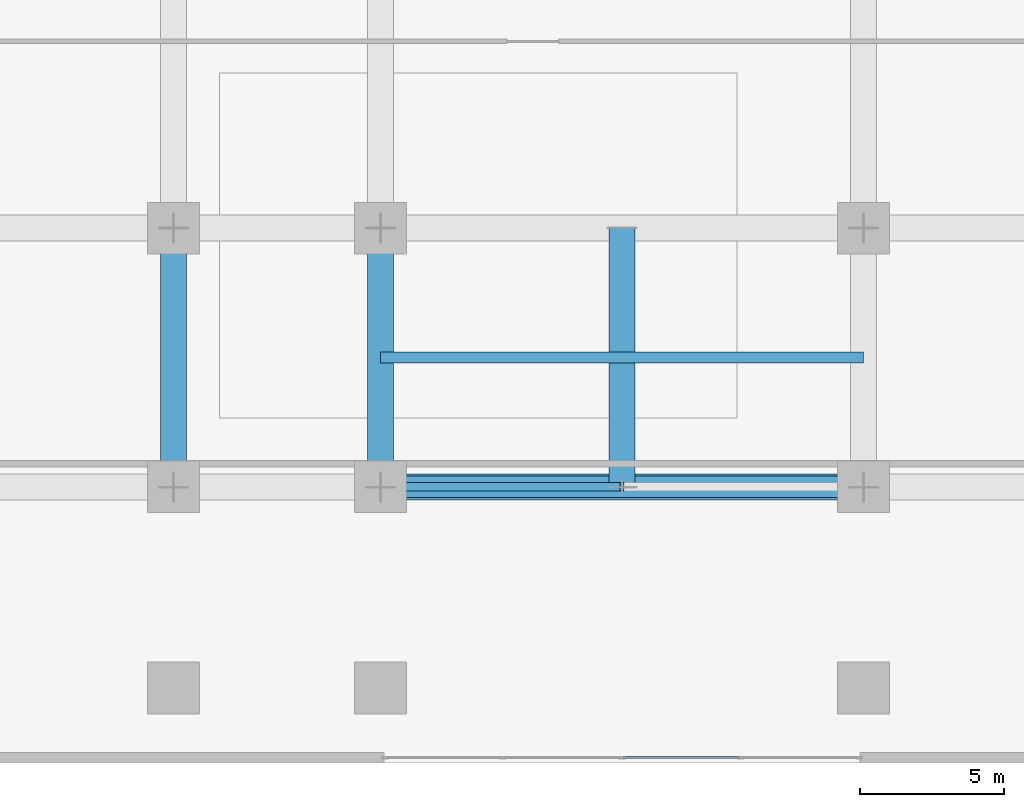
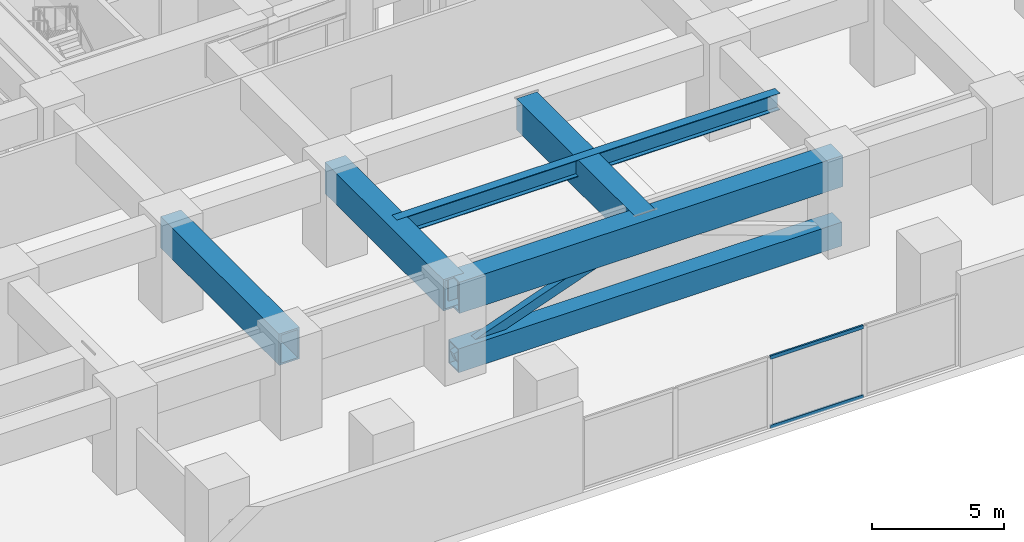
# One storey, part 3 of 25: 5 beams, 4 members, 1 element without a shape of its own.
"""IFC4 building model written with IfcOpenShell, lengths in metres."""

from ifc_helpers import new_model, si_unit, direction, frame, origin, origin_2d, place, context, subcontext, project, spatial, hollow_rectangle, i_section, extrude, material, layer, layer_set, material_profile, profile_set, type_object, element, aggregate, save


model = new_model("IFC4")

# Units and contexts
model_context = context("Model", 3, precision=1e-05, world=origin(), true_north=direction((0.0, 1.0)))
body_context = subcontext(model_context, "Body", "Model", "MODEL_VIEW")
ifc_project = project(units=[si_unit("LENGTHUNIT", "METRE"), si_unit("AREAUNIT", "SQUARE_METRE"), si_unit("VOLUMEUNIT", "CUBIC_METRE"), si_unit("PLANEANGLEUNIT", "RADIAN"), si_unit("MASSUNIT", "GRAM", prefix="KILO")], contexts=[model_context])

# Site, building, storey
site_placement = place(None, origin())
site = spatial("IfcSite", under=ifc_project, at=site_placement, CompositionType="ELEMENT")
building_placement = place(site_placement, origin())
building = spatial("IfcBuilding", under=site, at=building_placement, Name="Kiyonajd Concourse Tower", CompositionType="ELEMENT")
storey_placement = place(building_placement, frame((0.0, 0.0, 17.10009765625)))
storey = spatial("IfcBuildingStorey", under=building, at=storey_placement, Name="L05", CompositionType="ELEMENT", Elevation=17.10009765625)

# Beams
ifc_material_1 = material(Name="Steel ASTM A992 Grade 50", Category="steel")
ifc_material_profile_1 = material_profile(ifc_material_1, i_section(OverallWidth=0.381103515625, OverallDepth=0.77294921875, WebThickness=0.0166015625, FlangeThickness=0.027099609375, at=origin_2d()), Name="W760X257")
ifc_profile_set_1 = profile_set([ifc_material_profile_1], Name="Steel ASTM A992 Grade 50")
beam_type_1 = type_object("IfcBeamType", Name="BM-POD-760", PredefinedType="BEAM", material=ifc_profile_set_1)
beam_1_placement = place(storey_placement, frame((39.60009765625, 14.10009765625, 3.853515625), z_axis=(1.0, 0.0, 0.0), x_axis=(0.0, 1.0, 0.0)))
element("IfcBeam", 1, at=beam_1_placement, inside=storey, type_object=beam_type_1, Name="L05 South Loggia Bay Secondary Beam", PredefinedType="BEAM", context=body_context, shape_type="SweptSolid", body=[
    extrude(i_section(OverallWidth=0.381103515625, OverallDepth=0.77294921875, WebThickness=0.0166015625, FlangeThickness=0.027099609375, at=origin_2d()), origin(), (0.0, 0.0, 1.0), 16.7998046875),
])
ifc_material_2 = material(Name="Steel ASTM A572 Grade 50", Category="steel")
ifc_material_profile_2 = material_profile(ifc_material_2, hollow_rectangle(XDim=0.89990234375, YDim=1.449951171875, WallThickness=0.074951171875, at=origin_2d()), Name="BOX-1450x900x75")
ifc_profile_set_2 = profile_set([ifc_material_profile_2], Name="Steel ASTM A572 Grade 50")
beam_type_2 = type_object("IfcBeamType", Name="BM-XFER-1800", PredefinedType="BEAM", material=ifc_profile_set_2)
beam_2_placement = place(storey_placement, frame((39.60009765625, 9.60009765625, 3.514892578125), z_axis=(1.0, 0.0, 0.0), x_axis=(0.0, 1.0, 0.0)))
element("IfcBeam", 2, at=beam_2_placement, inside=storey, type_object=beam_type_2, Name="L05 Primary Transfer Girder", PredefinedType="BEAM", context=body_context, shape_type="SweptSolid", body=[
    extrude(hollow_rectangle(XDim=0.89990234375, YDim=1.449951171875, WallThickness=0.074951171875, at=origin_2d()), origin(), (0.0, 0.0, 1.0), 16.7998046875),
])
for number, where, z_axis, x_axis, name in (
    (3, (32.39990234375, 9.60009765625, 3.514892578125), (0.0, 1.0, 0.0), (-1.0, 0.0, 0.0), "L05 Primary Transfer Girder"),
    (4, (39.60009765625, 9.60009765625, 3.514892578125), (0.0, 1.0, 0.0), (-1.0, 0.0, 0.0), "L05 Primary Transfer Girder"),
    (5, (48.0, 9.60009765625, 3.514892578125), (0.0, 1.0, 0.0), (-1.0, 0.0, 0.0), "L05 Column Transfer Girder"),
):
    element("IfcBeam", number, at=place(storey_placement, frame(where, z_axis=z_axis, x_axis=x_axis)), inside=storey, type_object=beam_type_2, Name=name, PredefinedType="BEAM", context=body_context, shape_type="SweptSolid", body=[
        extrude(hollow_rectangle(XDim=0.89990234375, YDim=1.449951171875, WallThickness=0.074951171875, at=origin_2d()), origin(), (0.0, 0.0, 1.0), 9.0),
    ])

# Curtain wall, members
ifc_material_3 = material(Name="Thermally Broken Anodised Aluminium", Category="aluminium")
ifc_layer = layer(ifc_material_3, 0.179931640625)
ifc_layer_set = layer_set([ifc_layer], Name="Thermally Broken Anodised Aluminium")
curtain_wall_type = type_object("IfcCurtainWallType", Name="CW-SYS-01", PredefinedType="NOTDEFINED", material=ifc_layer_set)
curtain_wall_placement = place(storey_placement, origin())
curtain_wall = element("IfcCurtainWall", 6, at=curtain_wall_placement, inside=storey, type_object=curtain_wall_type, Name="L05 Unitised Curtain Wall CW1", PredefinedType="NOTDEFINED")
ifc_material_profile_3 = material_profile(ifc_material_3, hollow_rectangle(XDim=0.074951171875, YDim=0.159912109375, WallThickness=0.0048828125, at=origin_2d()), Name="TRAN-75x160")
ifc_profile_set_3 = profile_set([ifc_material_profile_3], Name="Thermally Broken Anodised Aluminium")
member_type_1 = type_object("IfcMemberType", Name="MB-CW-TRAN2", PredefinedType="USERDEFINED", material=ifc_profile_set_3)
member_1_placement = place(storey_placement, frame((52.1025390625, 0.179931640625, 0.037353515625), z_axis=(-1.0, 0.0, 0.0), x_axis=(0.0, -1.0, 0.0)))
member_1 = element("IfcMember", 7, at=member_1_placement, type_object=member_type_1, Name="CW1 transom 2.1", ObjectType="TRANSOM", PredefinedType="USERDEFINED", context=body_context, shape_type="SweptSolid", body=[
    extrude(hollow_rectangle(XDim=0.074951171875, YDim=0.159912109375, WallThickness=0.0048828125, at=origin_2d()), origin(), (0.0, 0.0, 1.0), 4.06494140625),
])
member_2_placement = place(storey_placement, frame((52.1025390625, 0.179931640625, 3.25244140625), z_axis=(-1.0, 0.0, 0.0), x_axis=(0.0, -1.0, 0.0)))
member_2 = element("IfcMember", 8, at=member_2_placement, type_object=member_type_1, Name="CW1 transom 2.2", ObjectType="TRANSOM", PredefinedType="USERDEFINED", context=body_context, shape_type="SweptSolid", body=[
    extrude(hollow_rectangle(XDim=0.074951171875, YDim=0.159912109375, WallThickness=0.0048828125, at=origin_2d()), origin(), (0.0, 0.0, 1.0), 4.06494140625),
])
aggregate(curtain_wall, [member_1, member_2])

# Members
ifc_material_4 = material(Name="Steel ASTM A500 Grade C", Category="steel")
ifc_material_profile_4 = material_profile(ifc_material_4, hollow_rectangle(XDim=0.300048828125, YDim=0.449951171875, WallThickness=0.02197265625, at=origin_2d()), Name="HSS-450x300x22")
ifc_profile_set_4 = profile_set([ifc_material_profile_4], Name="Steel ASTM A500 Grade C")
member_type_2 = type_object("IfcMemberType", Name="MB-OT-DIAG", PredefinedType="BRACE", material=ifc_profile_set_4)
member_3_placement = place(storey_placement, frame((39.60009765625, 9.60009765625, 0.5498046875), z_axis=(0.9403126, 0.0, 0.340311936732), x_axis=(0.0, 1.0, 0.0)))
element("IfcMember", 9, at=member_3_placement, inside=storey, type_object=member_type_2, Name="L05 Transfer Truss Diagonal 13", PredefinedType="BRACE", context=body_context, shape_type="SweptSolid", body=[
    extrude(hollow_rectangle(XDim=0.300048828125, YDim=0.449951171875, WallThickness=0.02197265625, at=origin_2d()), origin(), (0.0, 0.0, 1.0), 8.93310546875),
])
ifc_material_profile_5 = material_profile(ifc_material_2, hollow_rectangle(XDim=0.75, YDim=1.10009765625, WallThickness=0.06005859375, at=origin_2d()), Name="BOX-1100x750x60")
ifc_profile_set_5 = profile_set([ifc_material_profile_5], Name="Steel ASTM A572 Grade 50")
member_type_3 = type_object("IfcMemberType", Name="MB-TR-CHORD", PredefinedType="CHORD", material=ifc_profile_set_5)
member_4_placement = place(storey_placement, frame((39.60009765625, 9.60009765625, 0.5498046875), z_axis=(1.0, 0.0, 0.0), x_axis=(0.0, 1.0, 0.0)))
element("IfcMember", 10, at=member_4_placement, inside=storey, type_object=member_type_3, Name="L05 Concourse Transfer Truss Bottom Chord", PredefinedType="CHORD", context=body_context, shape_type="SweptSolid", body=[
    extrude(hollow_rectangle(XDim=0.75, YDim=1.10009765625, WallThickness=0.06005859375, at=origin_2d()), origin(), (0.0, 0.0, 1.0), 16.7998046875),
])

save(model, "model.ifc")
